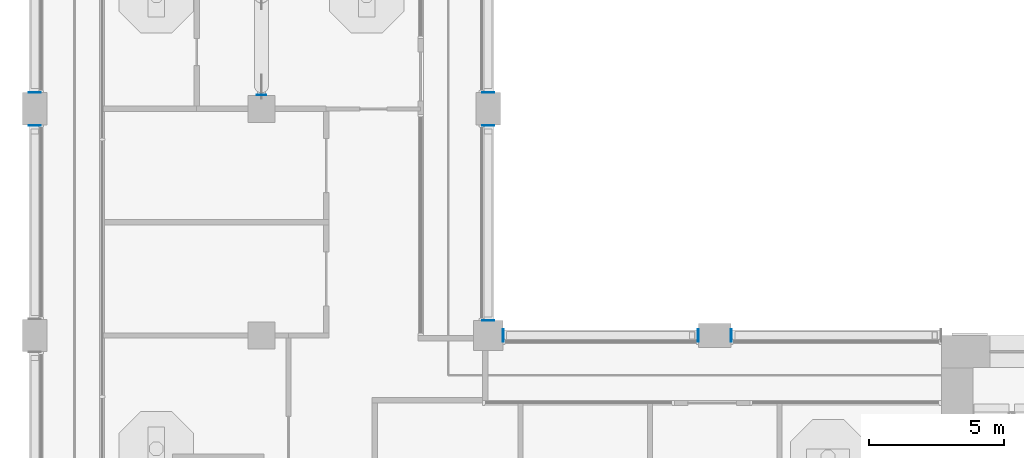
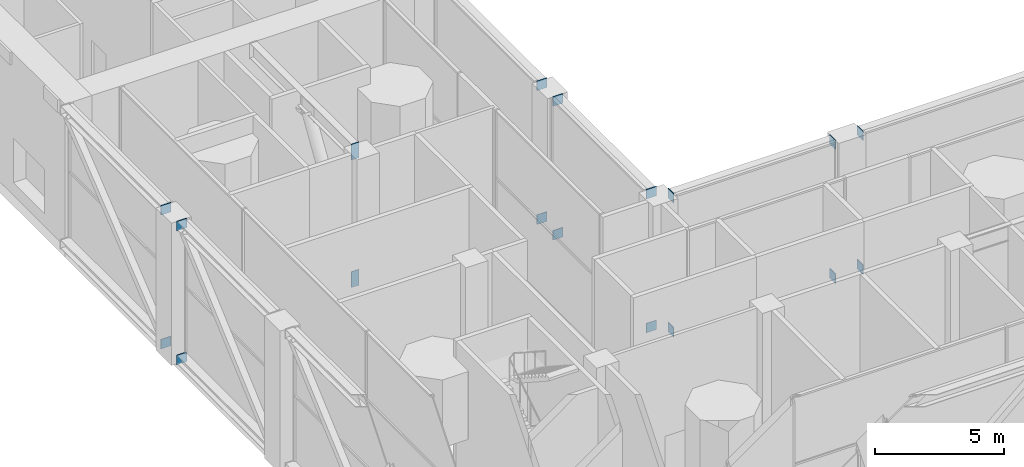
# One storey, part 13 of 20: 18 discrete accessories.
"""IFC4 building model written with IfcOpenShell, lengths in metres."""

from ifc_helpers import new_model, si_unit, direction, frame, origin, origin_2d, place, context, subcontext, project, spatial, rectangle, extrude, element, save


model = new_model("IFC4")

# Units and contexts
model_context = context("Model", 3, precision=1e-05, world=origin(), true_north=direction((0.0, 1.0)))
body_context = subcontext(model_context, "Body", "Model", "MODEL_VIEW")
ifc_project = project(units=[si_unit("LENGTHUNIT", "METRE"), si_unit("AREAUNIT", "SQUARE_METRE"), si_unit("VOLUMEUNIT", "CUBIC_METRE"), si_unit("PLANEANGLEUNIT", "RADIAN"), si_unit("MASSUNIT", "GRAM", prefix="KILO")], contexts=[model_context])

# Site, building, storey
site_placement = place(None, origin())
site = spatial("IfcSite", under=ifc_project, at=site_placement, CompositionType="ELEMENT")
building_placement = place(site_placement, origin())
building = spatial("IfcBuilding", under=site, at=building_placement, Name="Vermilion Gate Residences", CompositionType="ELEMENT")
storey_placement = place(building_placement, frame((0.0, 0.0, 207.199951171875)))
storey = spatial("IfcBuildingStorey", under=building, at=storey_placement, Name="L54", CompositionType="ELEMENT", Elevation=207.199951171875)

# Discrete accessories
for number, where, z_axis, x_axis, name in (
    (1, (8.39990234375, 32.987548828125, -0.02490234375), (0.0, 0.0, 1.0), (1.0, 0.0, 0.0), "End plate B54BELT40B 2"),
    (2, (8.39990234375, 32.987548828125, 6.294921875), (0.0, 0.0, 1.0), (1.0, 0.0, 0.0), "End plate B54BELT40T 2"),
    (3, (8.39990234375, 34.21240234375, -0.02490234375), (0.0, 0.0, 1.0), (1.0, 0.0, 0.0), "End plate B54BELT41B 1"),
    (4, (8.39990234375, 34.21240234375, 6.294921875), (0.0, 0.0, 1.0), (1.0, 0.0, 0.0), "End plate B54BELT41T 1"),
    (5, (25.199951171875, 25.762451171875, -0.02490234375), (0.0, 0.0, 1.0), (1.0, 0.0, 0.0), "End plate B54BELT43B 1"),
    (6, (25.199951171875, 32.987548828125, -0.02490234375), (0.0, 0.0, 1.0), (1.0, 0.0, 0.0), "End plate B54BELT43B 2"),
    (7, (25.199951171875, 25.762451171875, 6.294921875), (0.0, 0.0, 1.0), (1.0, 0.0, 0.0), "End plate B54BELT43T 1"),
    (8, (25.199951171875, 32.987548828125, 6.294921875), (0.0, 0.0, 1.0), (1.0, 0.0, 0.0), "End plate B54BELT43T 2"),
    (9, (25.199951171875, 34.21240234375, -0.02490234375), (0.0, 0.0, 1.0), (1.0, 0.0, 0.0), "End plate B54BELT44B 1"),
    (10, (25.199951171875, 34.21240234375, 6.294921875), (0.0, 0.0, 1.0), (1.0, 0.0, 0.0), "End plate B54BELT44T 1"),
):
    element("IfcDiscreteAccessory", number, at=place(storey_placement, frame(where, z_axis=z_axis, x_axis=x_axis)), inside=storey, Name=name, ObjectType="END PLATE", PredefinedType="USERDEFINED", context=body_context, shape_type="SweptSolid", body=[
        extrude(rectangle(XDim=0.449951171875, YDim=0.02490234375, at=origin_2d()), origin(), (0.0, 0.0, 1.0), 0.449951171875),
    ])
for number, where, z_axis, x_axis, name in (
    (11, (25.762451171875, 25.199951171875, -0.02490234375), (0.0, 0.0, 1.0), (1.0, 0.0, 0.0), "End plate B54BELT46B 1"),
    (12, (32.987548828125, 25.199951171875, -0.02490234375), (0.0, 0.0, 1.0), (1.0, 0.0, 0.0), "End plate B54BELT46B 2"),
    (13, (25.762451171875, 25.199951171875, 6.294921875), (0.0, 0.0, 1.0), (1.0, 0.0, 0.0), "End plate B54BELT46T 1"),
    (14, (32.987548828125, 25.199951171875, 6.294921875), (0.0, 0.0, 1.0), (1.0, 0.0, 0.0), "End plate B54BELT46T 2"),
    (15, (34.21240234375, 25.199951171875, -0.02490234375), (0.0, 0.0, 1.0), (1.0, 0.0, 0.0), "End plate B54BELT48B 1"),
    (16, (34.21240234375, 25.199951171875, 6.294921875), (0.0, 0.0, 1.0), (1.0, 0.0, 0.0), "End plate B54BELT48T 1"),
):
    element("IfcDiscreteAccessory", number, at=place(storey_placement, frame(where, z_axis=z_axis, x_axis=x_axis)), inside=storey, Name=name, ObjectType="END PLATE", PredefinedType="USERDEFINED", context=body_context, shape_type="SweptSolid", body=[
        extrude(rectangle(XDim=0.02490234375, YDim=0.449951171875, at=origin_2d()), origin(), (0.0, 0.0, 1.0), 0.449951171875),
    ])
for number, where, z_axis, x_axis, name in (
    (17, (16.800048828125, 34.112548828125, -0.02490234375), (0.0, 0.0, 1.0), (1.0, 0.0, 0.0), "End plate O54OUT9B 2"),
    (18, (16.800048828125, 34.112548828125, 5.9951171875), (0.0, 0.0, 1.0), (1.0, 0.0, 0.0), "End plate O54OUT9T 2"),
):
    element("IfcDiscreteAccessory", number, at=place(storey_placement, frame(where, z_axis=z_axis, x_axis=x_axis)), inside=storey, Name=name, ObjectType="END PLATE", PredefinedType="USERDEFINED", context=body_context, shape_type="SweptSolid", body=[
        extrude(rectangle(XDim=0.35009765625, YDim=0.02490234375, at=origin_2d()), origin(), (0.0, 0.0, 1.0), 0.75),
    ])

save(model, "model.ifc")
